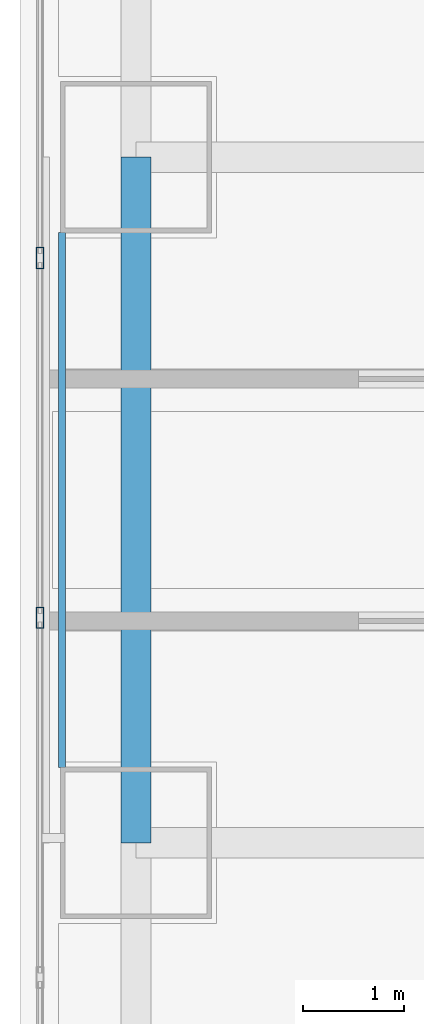
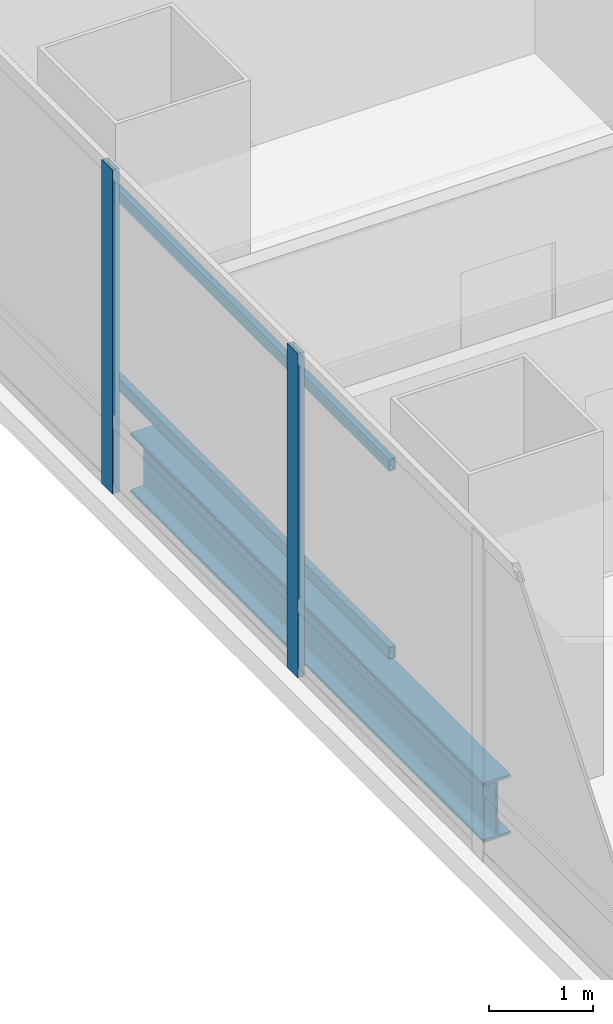
# One storey, part 9 of 34: 4 members, 1 beam, 1 element without a shape of its own.
"""IFC4 building model written with IfcOpenShell, lengths in metres."""

from ifc_helpers import new_model, si_unit, direction, frame, origin, origin_2d, place, context, subcontext, project, spatial, hollow_rectangle, i_section, extrude, material, material_profile, profile_set, type_object, element, aggregate, save


model = new_model("IFC4")

# Units and contexts
model_context = context("Model", 3, precision=1e-05, world=origin(), true_north=direction((0.0, 1.0)))
body_context = subcontext(model_context, "Body", "Model", "MODEL_VIEW")
ifc_project = project(units=[si_unit("LENGTHUNIT", "METRE"), si_unit("AREAUNIT", "SQUARE_METRE"), si_unit("VOLUMEUNIT", "CUBIC_METRE"), si_unit("PLANEANGLEUNIT", "RADIAN"), si_unit("MASSUNIT", "GRAM", prefix="KILO")], contexts=[model_context])

# Site, building, storey
site_placement = place(None, origin())
site = spatial("IfcSite", under=ifc_project, at=site_placement, CompositionType="ELEMENT")
building_placement = place(site_placement, origin())
building = spatial("IfcBuilding", under=site, at=building_placement, Name="Punatoya Terracotta Tower", CompositionType="ELEMENT")
storey_placement = place(building_placement, frame((0.0, 0.0, 97.050048828125)))
storey = spatial("IfcBuildingStorey", under=building, at=storey_placement, Name="L22", CompositionType="ELEMENT", Elevation=97.050048828125)

# Beam
ifc_material_1 = material(Name="Steel S355", Category="steel")
ifc_material_profile_1 = material_profile(ifc_material_1, i_section(OverallWidth=0.300048828125, OverallDepth=0.699951171875, WebThickness=0.01708984375, FlangeThickness=0.031982421875, FilletRadius=0.01806640625, at=origin_2d()))
ifc_profile_set_1 = profile_set([ifc_material_profile_1], Name="Steel S355")
beam_type = type_object("IfcBeamType", Name="BM-PRI-700", PredefinedType="BEAM", material=ifc_profile_set_1)
beam_placement = place(storey_placement, frame((-19.10009765625, -3.39990234375, -0.590087890625), z_axis=(0.0, 1.0, 0.0), x_axis=(-1.0, 0.0, 0.0)))
element("IfcBeam", 1, at=beam_placement, inside=storey, type_object=beam_type, Name="BM-L22-RG-W2", PredefinedType="BEAM", context=body_context, shape_type="SweptSolid", body=[
    extrude(i_section(OverallWidth=0.300048828125, OverallDepth=0.699951171875, WebThickness=0.01708984375, FlangeThickness=0.031982421875, FilletRadius=0.01806640625, at=origin_2d()), origin(), (0.0, 0.0, 1.0), 6.7998046875),
])

# Curtain wall, members
ifc_material_2 = material(Name="Aluminium 6063-T6 + Double Low-E Glass", Category="aluminium")
curtain_wall_type = type_object("IfcCurtainWallType", Name="CW-M1", PredefinedType="NOTDEFINED", material=ifc_material_2)
curtain_wall_placement = place(storey_placement, origin())
curtain_wall = element("IfcCurtainWall", 2, at=curtain_wall_placement, inside=storey, type_object=curtain_wall_type, Name="L22 Curtain Wall CW-L22-W13-1", PredefinedType="NOTDEFINED")
ifc_material_3 = material(Name="Aluminium 6063-T6", Category="aluminium")
ifc_material_profile_2 = material_profile(ifc_material_3, hollow_rectangle(XDim=0.074951171875, YDim=0.2099609375, WallThickness=0.00439453125, at=origin_2d()))
ifc_profile_set_2 = profile_set([ifc_material_profile_2], Name="Aluminium 6063-T6")
member_type_1 = type_object("IfcMemberType", Name="CW-MUL-M1", PredefinedType="MULLION", material=ifc_profile_set_2)
member_1_placement = place(storey_placement, frame((-20.050048828125, 2.39990234375, 0.0), z_axis=(0.0, 0.0, 1.0), x_axis=(1.0, 0.0, 0.0)))
member_1 = element("IfcMember", 3, at=member_1_placement, type_object=member_type_1, Name="CW-L22-W13-1 Mullion 05", PredefinedType="MULLION", context=body_context, shape_type="SweptSolid", body=[
    extrude(hollow_rectangle(XDim=0.074951171875, YDim=0.2099609375, WallThickness=0.00439453125, at=origin_2d()), origin(), (0.0, 0.0, 1.0), 3.81005859375),
])
member_2_placement = place(storey_placement, frame((-20.050048828125, -1.16748046875, 0.0), z_axis=(0.0, 0.0, 1.0), x_axis=(1.0, 0.0, 0.0)))
member_2 = element("IfcMember", 4, at=member_2_placement, type_object=member_type_1, Name="CW-L22-W13-1 Mullion 06", PredefinedType="MULLION", context=body_context, shape_type="SweptSolid", body=[
    extrude(hollow_rectangle(XDim=0.074951171875, YDim=0.2099609375, WallThickness=0.00439453125, at=origin_2d()), origin(), (0.0, 0.0, 1.0), 3.81005859375),
])
aggregate(curtain_wall, [member_1, member_2])

# Members
ifc_material_profile_3 = material_profile(ifc_material_1, hollow_rectangle(XDim=0.070068359375, YDim=0.139892578125, WallThickness=0.006103515625, at=origin_2d()))
ifc_profile_set_3 = profile_set([ifc_material_profile_3], Name="Steel S355")
member_type_2 = type_object("IfcMemberType", Name="MEM-BAG-RAIL", PredefinedType="USERDEFINED", material=ifc_profile_set_3)
for number, where, z_axis, x_axis, name in (
    (5, (-19.83203125, -2.650390625, 1.050048828125), (0.0, 1.0, 0.0), (-1.0, 0.0, 0.0), "L22 Terracotta Baguette Carrier Rail BAG-L22-W-R1"),
    (6, (-19.83203125, -2.650390625, 3.260009765625), (0.0, 1.0, 0.0), (-1.0, 0.0, 0.0), "L22 Terracotta Baguette Carrier Rail BAG-L22-W-R2"),
):
    element("IfcMember", number, at=place(storey_placement, frame(where, z_axis=z_axis, x_axis=x_axis)), inside=storey, type_object=member_type_2, Name=name, ObjectType="BAGUETTE", PredefinedType="USERDEFINED", context=body_context, shape_type="SweptSolid", body=[
        extrude(hollow_rectangle(XDim=0.070068359375, YDim=0.139892578125, WallThickness=0.006103515625, at=origin_2d()), origin(), (0.0, 0.0, 1.0), 5.30078125),
    ])

save(model, "model.ifc")
